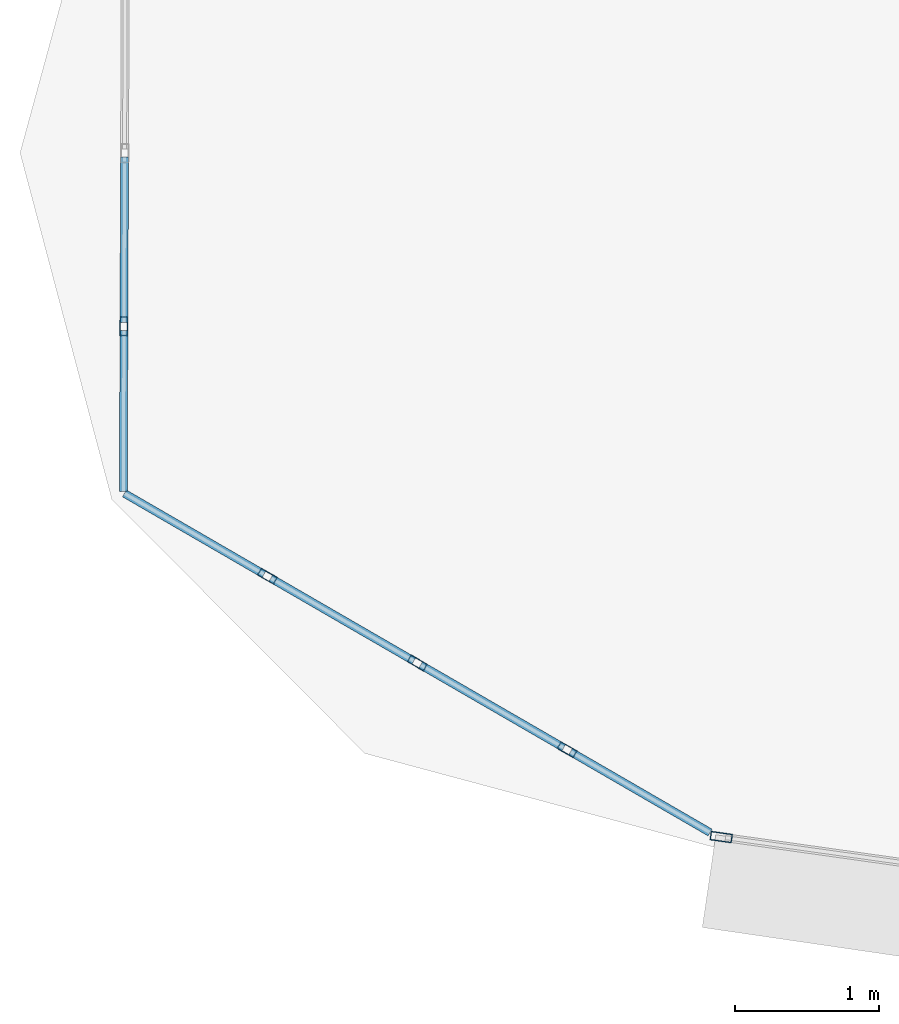
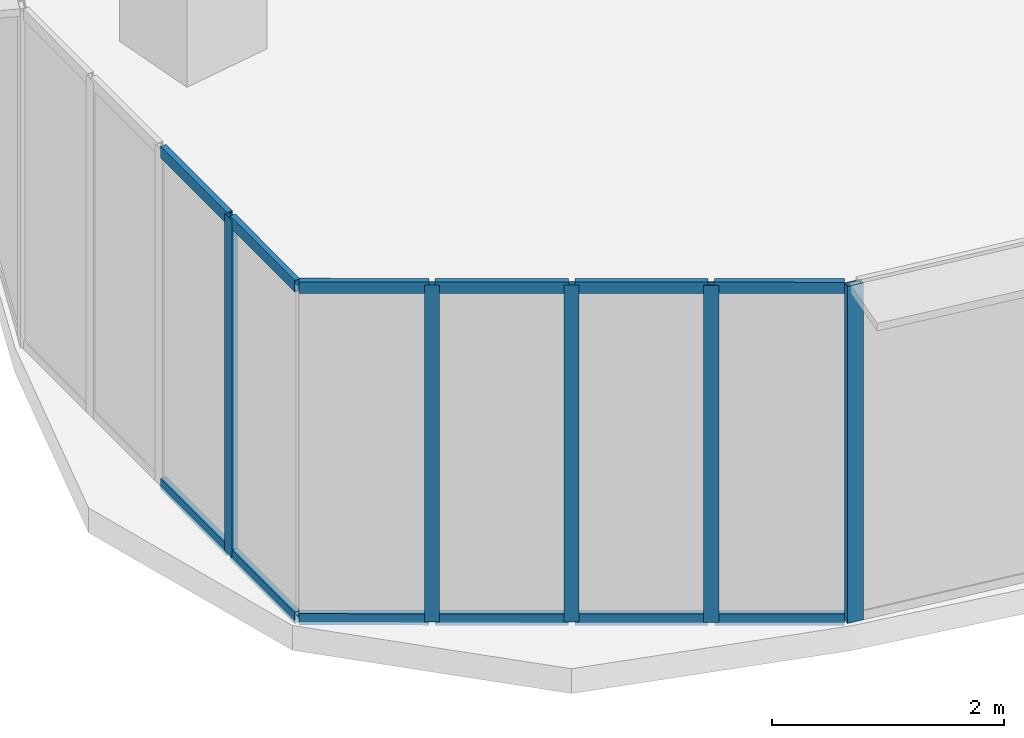
# One storey, part 2 of 40: 17 members, 3 elements without a shape of their own.
"""IFC4 building model written with IfcOpenShell, lengths in metres."""

from ifc_helpers import new_model, si_unit, direction, frame, origin, origin_2d, place, context, subcontext, project, spatial, hollow_rectangle, extrude, source, transform, mapped, material, layer, layer_set, material_profile, profile_set, type_object, element, aggregate, save


model = new_model("IFC4")

# Units and contexts
model_context = context("Model", 3, precision=1e-05, world=origin(), true_north=direction((0.0, 1.0)))
body_context = subcontext(model_context, "Body", "Model", "MODEL_VIEW")
ifc_project = project(units=[si_unit("LENGTHUNIT", "METRE"), si_unit("AREAUNIT", "SQUARE_METRE"), si_unit("VOLUMEUNIT", "CUBIC_METRE"), si_unit("PLANEANGLEUNIT", "RADIAN"), si_unit("MASSUNIT", "GRAM", prefix="KILO"), si_unit("THERMODYNAMICTEMPERATUREUNIT", "KELVIN"), si_unit("POWERUNIT", "WATT")], contexts=[model_context])

# Site, building, storey
site_placement = place(None, origin())
site = spatial("IfcSite", under=ifc_project, at=site_placement, CompositionType="ELEMENT")
building_placement = place(site_placement, origin())
building = spatial("IfcBuilding", under=site, at=building_placement, Name="Yunzhuo Pagoda Commons", CompositionType="ELEMENT")
storey_placement = place(building_placement, frame((0.0, 0.0, 188.56005859375)))
storey = spatial("IfcBuildingStorey", under=building, at=storey_placement, Name="L47", CompositionType="ELEMENT", Elevation=188.56005859375)

# Curtain wall, member
ifc_material = material(Name="Anodized aluminium 6063-T6", Category="aluminium")
ifc_layer_1 = layer(ifc_material, 0.1298828125)
ifc_layer_set_1 = layer_set([ifc_layer_1], Name="Anodized aluminium 6063-T6")
curtain_wall_type_1 = type_object("IfcCurtainWallType", Name="CW-VTX Rounded Corner Curtain Wall", PredefinedType="NOTDEFINED", material=ifc_layer_set_1)
curtain_wall_1_placement = place(storey_placement, origin())
curtain_wall_1 = element("IfcCurtainWall", 1, at=curtain_wall_1_placement, inside=storey, type_object=curtain_wall_type_1, Name="L47 curtain wall CW-L47-VTX1S1", PredefinedType="NOTDEFINED")
ifc_material_profile_1 = material_profile(ifc_material, hollow_rectangle(XDim=0.054931640625, YDim=0.1298828125, WallThickness=0.00341796875, at=origin_2d()), Name="Anodized aluminium 6063-T6")
ifc_profile_set_1 = profile_set([ifc_material_profile_1], Name="Anodized aluminium 6063-T6")
member_type_1 = type_object("IfcMemberType", Name="CW-VTX-M Mullion RHS 130x55x3.5", PredefinedType="MULLION", material=ifc_profile_set_1)
shared_shape_1 = source(origin(), body_context, "Body", "SweptSolid", [
    extrude(hollow_rectangle(XDim=0.054931640625, YDim=0.1298828125, WallThickness=0.00341796875, at=origin_2d()), origin(), (0.0, 0.0, 1.0), 3.5400390625),
])
member_1_placement = place(storey_placement, frame((9.262451171875, 20.725830078125, 0.0), z_axis=(0.0, 0.0, 1.0), x_axis=(0.99999359061, -0.003580326762, 0.0)))
member_1 = element("IfcMember", 2, at=member_1_placement, type_object=member_type_1, Name="CW mullion 4", PredefinedType="MULLION", context=body_context, shape_type="MappedRepresentation", body=[
    mapped(shared_shape_1, transform((0.0, 0.0, 0.0), scale=1.0)),
])

# Curtain wall, members
curtain_wall_2_placement = place(storey_placement, origin())
curtain_wall_2 = element("IfcCurtainWall", 3, at=curtain_wall_2_placement, inside=storey, type_object=curtain_wall_type_1, Name="L47 curtain wall CW-L47-VTX1S2", PredefinedType="NOTDEFINED")
member_2_placement = place(storey_placement, frame((10.257568359375, 18.99267578125, 0.0), z_axis=(0.0, 0.0, 1.0), x_axis=(0.501040373263, 0.865423910208, 0.0)))
member_2 = element("IfcMember", 4, at=member_2_placement, type_object=member_type_1, Name="CW mullion 2", PredefinedType="MULLION", context=body_context, shape_type="MappedRepresentation", body=[
    mapped(shared_shape_1, transform((0.0, 0.0, 0.0), scale=1.0)),
])
member_3_placement = place(storey_placement, frame((11.297119140625, 18.390869140625, 0.0), z_axis=(0.0, 0.0, 1.0), x_axis=(0.501040373263, 0.865423910208, 0.0)))
member_3 = element("IfcMember", 5, at=member_3_placement, type_object=member_type_1, Name="CW mullion 3", PredefinedType="MULLION", context=body_context, shape_type="MappedRepresentation", body=[
    mapped(shared_shape_1, transform((0.0, 0.0, 0.0), scale=1.0)),
])
member_4_placement = place(storey_placement, frame((12.33642578125, 17.789306640625, 0.0), z_axis=(0.0, 0.0, 1.0), x_axis=(0.501040373263, 0.865423910208, 0.0)))
member_4 = element("IfcMember", 6, at=member_4_placement, type_object=member_type_1, Name="CW mullion 4", PredefinedType="MULLION", context=body_context, shape_type="MappedRepresentation", body=[
    mapped(shared_shape_1, transform((0.0, 0.0, 0.0), scale=1.0)),
])

# Curtain wall, member
ifc_layer_2 = layer(ifc_material, 0.14990234375)
ifc_layer_set_2 = layer_set([ifc_layer_2], Name="Anodized aluminium 6063-T6")
curtain_wall_type_2 = type_object("IfcCurtainWallType", Name="CW-MID Mid-Zone Ribbon Curtain Wall", PredefinedType="NOTDEFINED", material=ifc_layer_set_2)
curtain_wall_3_placement = place(storey_placement, origin())
curtain_wall_3 = element("IfcCurtainWall", 7, at=curtain_wall_3_placement, inside=storey, type_object=curtain_wall_type_2, Name="L47 curtain wall CW-L47-F1B1", PredefinedType="NOTDEFINED")
ifc_material_profile_2 = material_profile(ifc_material, hollow_rectangle(XDim=0.06005859375, YDim=0.14990234375, WallThickness=0.00390625, at=origin_2d()), Name="Anodized aluminium 6063-T6")
ifc_profile_set_2 = profile_set([ifc_material_profile_2], Name="Anodized aluminium 6063-T6")
member_type_2 = type_object("IfcMemberType", Name="CW-MID-M Mullion RHS 150x60x4", PredefinedType="MULLION", material=ifc_profile_set_2)
shared_shape_2 = source(origin(), body_context, "Body", "SweptSolid", [
    extrude(hollow_rectangle(XDim=0.06005859375, YDim=0.14990234375, WallThickness=0.00390625, at=origin_2d()), origin(), (0.0, 0.0, 1.0), 3.5400390625),
])
member_5_placement = place(storey_placement, frame((13.405517578125, 17.183349609375, 0.0), z_axis=(0.0, 0.0, 1.0), x_axis=(0.139233100351, 0.990259634524, 0.0)))
member_5 = element("IfcMember", 8, at=member_5_placement, type_object=member_type_2, Name="CW mullion 1", PredefinedType="MULLION", context=body_context, shape_type="MappedRepresentation", body=[
    mapped(shared_shape_2, transform((0.0, 0.0, 0.0), scale=1.0)),
])
aggregate(curtain_wall_3, [member_5])

# Member
ifc_material_profile_3 = material_profile(ifc_material, hollow_rectangle(XDim=0.054931640625, YDim=0.1201171875, WallThickness=0.00341796875, at=origin_2d()), Name="Anodized aluminium 6063-T6")
ifc_profile_set_3 = profile_set([ifc_material_profile_3], Name="Anodized aluminium 6063-T6")
member_type_3 = type_object("IfcMemberType", Name="CW-VTX-T Transom RHS 120x55x3.5", PredefinedType="USERDEFINED", material=ifc_profile_set_3)
shared_shape_3 = source(origin(), body_context, "Body", "SweptSolid", [
    extrude(hollow_rectangle(XDim=0.054931640625, YDim=0.1201171875, WallThickness=0.00341796875, at=origin_2d()), origin(), (0.0, 0.0, 1.0), 1.14599609375),
])
member_6_placement = place(storey_placement, frame((9.2666015625, 21.8994140625, 0.02734375), z_axis=(-0.003408586931, -0.999994190751, 0.0), x_axis=(0.999994190751, -0.003408586931, 0.0)))
member_6 = element("IfcMember", 9, at=member_6_placement, type_object=member_type_3, Name="CW transom 3.1", ObjectType="TRANSOM", PredefinedType="USERDEFINED", context=body_context, shape_type="MappedRepresentation", body=[
    mapped(shared_shape_3, transform((0.0, 0.0, 0.0), scale=1.0)),
])

member_7_placement = place(storey_placement, frame((9.2666015625, 21.8994140625, 3.512451171875), z_axis=(-0.003408586931, -0.999994190751, 0.0), x_axis=(0.999994190751, -0.003408586931, 0.0)))
member_7 = element("IfcMember", 10, at=member_7_placement, type_object=member_type_3, Name="CW transom 3.2", ObjectType="TRANSOM", PredefinedType="USERDEFINED", context=body_context, shape_type="MappedRepresentation", body=[
    mapped(shared_shape_3, transform((0.0, 0.0, 0.0), scale=1.0)),
])

member_8_placement = place(storey_placement, frame((11.32080078125, 18.377197265625, 0.02734375), z_axis=(0.865542942623, -0.500834717722, 0.0), x_axis=(0.500834717722, 0.865542942623, 0.0)))
member_8 = element("IfcMember", 11, at=member_8_placement, type_object=member_type_3, Name="CW transom 3.1", ObjectType="TRANSOM", PredefinedType="USERDEFINED", context=body_context, shape_type="MappedRepresentation", body=[
    mapped(shared_shape_3, transform((0.0, 0.0, 0.0), scale=1.0)),
])

member_9_placement = place(storey_placement, frame((11.32080078125, 18.377197265625, 3.512451171875), z_axis=(0.865542942623, -0.500834717722, 0.0), x_axis=(0.500834717722, 0.865542942623, 0.0)))
member_9 = element("IfcMember", 12, at=member_9_placement, type_object=member_type_3, Name="CW transom 3.2", ObjectType="TRANSOM", PredefinedType="USERDEFINED", context=body_context, shape_type="MappedRepresentation", body=[
    mapped(shared_shape_3, transform((0.0, 0.0, 0.0), scale=1.0)),
])

shared_shape_4 = source(origin(), body_context, "Body", "SweptSolid", [
    extrude(hollow_rectangle(XDim=0.054931640625, YDim=0.1201171875, WallThickness=0.00341796875, at=origin_2d()), origin(), (0.0, 0.0, 1.0), 1.11865234375),
])
member_10_placement = place(storey_placement, frame((9.262451171875, 20.698486328125, 0.02734375), z_axis=(-0.003710144696, -0.999993117389, 0.0), x_axis=(0.999993117389, -0.003710144696, 0.0)))
member_10 = element("IfcMember", 13, at=member_10_placement, type_object=member_type_3, Name="CW transom 4.1", ObjectType="TRANSOM", PredefinedType="USERDEFINED", context=body_context, shape_type="MappedRepresentation", body=[
    mapped(shared_shape_4, transform((0.0, 0.0, 0.0), scale=1.0)),
])

member_11_placement = place(storey_placement, frame((9.262451171875, 20.698486328125, 3.512451171875), z_axis=(-0.003710144696, -0.999993117389, 0.0), x_axis=(0.999993117389, -0.003710144696, 0.0)))
member_11 = element("IfcMember", 14, at=member_11_placement, type_object=member_type_3, Name="CW transom 4.2", ObjectType="TRANSOM", PredefinedType="USERDEFINED", context=body_context, shape_type="MappedRepresentation", body=[
    mapped(shared_shape_4, transform((0.0, 0.0, 0.0), scale=1.0)),
])

aggregate(curtain_wall_1, [member_1, member_6, member_7, member_10, member_11])

member_12_placement = place(storey_placement, frame((9.265869140625, 19.567138671875, 0.02734375), z_axis=(0.865286801304, -0.501277120453, 0.0), x_axis=(0.501277120453, 0.865286801304, 0.0)))
member_12 = element("IfcMember", 15, at=member_12_placement, type_object=member_type_3, Name="CW transom 1.1", ObjectType="TRANSOM", PredefinedType="USERDEFINED", context=body_context, shape_type="MappedRepresentation", body=[
    mapped(shared_shape_4, transform((0.0, 0.0, 0.0), scale=1.0)),
])

member_13_placement = place(storey_placement, frame((9.265869140625, 19.567138671875, 3.512451171875), z_axis=(0.865286801304, -0.501277120453, 0.0), x_axis=(0.501277120453, 0.865286801304, 0.0)))
member_13 = element("IfcMember", 16, at=member_13_placement, type_object=member_type_3, Name="CW transom 1.2", ObjectType="TRANSOM", PredefinedType="USERDEFINED", context=body_context, shape_type="MappedRepresentation", body=[
    mapped(shared_shape_4, transform((0.0, 0.0, 0.0), scale=1.0)),
])

member_14_placement = place(storey_placement, frame((12.360107421875, 17.775390625, 0.02734375), z_axis=(0.865381453688, -0.501113699286, 0.0), x_axis=(0.501113699286, 0.865381453688, 0.0)))
member_14 = element("IfcMember", 17, at=member_14_placement, type_object=member_type_3, Name="CW transom 4.1", ObjectType="TRANSOM", PredefinedType="USERDEFINED", context=body_context, shape_type="MappedRepresentation", body=[
    mapped(shared_shape_4, transform((0.0, 0.0, 0.0), scale=1.0)),
])

member_15_placement = place(storey_placement, frame((12.360107421875, 17.775390625, 3.512451171875), z_axis=(0.865381453688, -0.501113699286, 0.0), x_axis=(0.501113699286, 0.865381453688, 0.0)))
member_15 = element("IfcMember", 18, at=member_15_placement, type_object=member_type_3, Name="CW transom 4.2", ObjectType="TRANSOM", PredefinedType="USERDEFINED", context=body_context, shape_type="MappedRepresentation", body=[
    mapped(shared_shape_4, transform((0.0, 0.0, 0.0), scale=1.0)),
])

shared_shape_5 = source(origin(), body_context, "Body", "SweptSolid", [
    extrude(hollow_rectangle(XDim=0.054931640625, YDim=0.1201171875, WallThickness=0.00341796875, at=origin_2d()), origin(), (0.0, 0.0, 1.0), 1.145751953125),
])
member_16_placement = place(storey_placement, frame((10.281494140625, 18.978759765625, 0.02734375), z_axis=(0.865489492245, -0.500927079337, 0.0), x_axis=(0.500927079337, 0.865489492245, 0.0)))
member_16 = element("IfcMember", 19, at=member_16_placement, type_object=member_type_3, Name="CW transom 2.1", ObjectType="TRANSOM", PredefinedType="USERDEFINED", context=body_context, shape_type="MappedRepresentation", body=[
    mapped(shared_shape_5, transform((0.0, 0.0, 0.0), scale=1.0)),
])

member_17_placement = place(storey_placement, frame((10.281494140625, 18.978759765625, 3.512451171875), z_axis=(0.865489492245, -0.500927079337, 0.0), x_axis=(0.500927079337, 0.865489492245, 0.0)))
member_17 = element("IfcMember", 20, at=member_17_placement, type_object=member_type_3, Name="CW transom 2.2", ObjectType="TRANSOM", PredefinedType="USERDEFINED", context=body_context, shape_type="MappedRepresentation", body=[
    mapped(shared_shape_5, transform((0.0, 0.0, 0.0), scale=1.0)),
])

aggregate(curtain_wall_2, [member_2, member_3, member_4, member_12, member_13, member_16, member_17, member_8, member_9, member_14, member_15])

save(model, "model.ifc")
